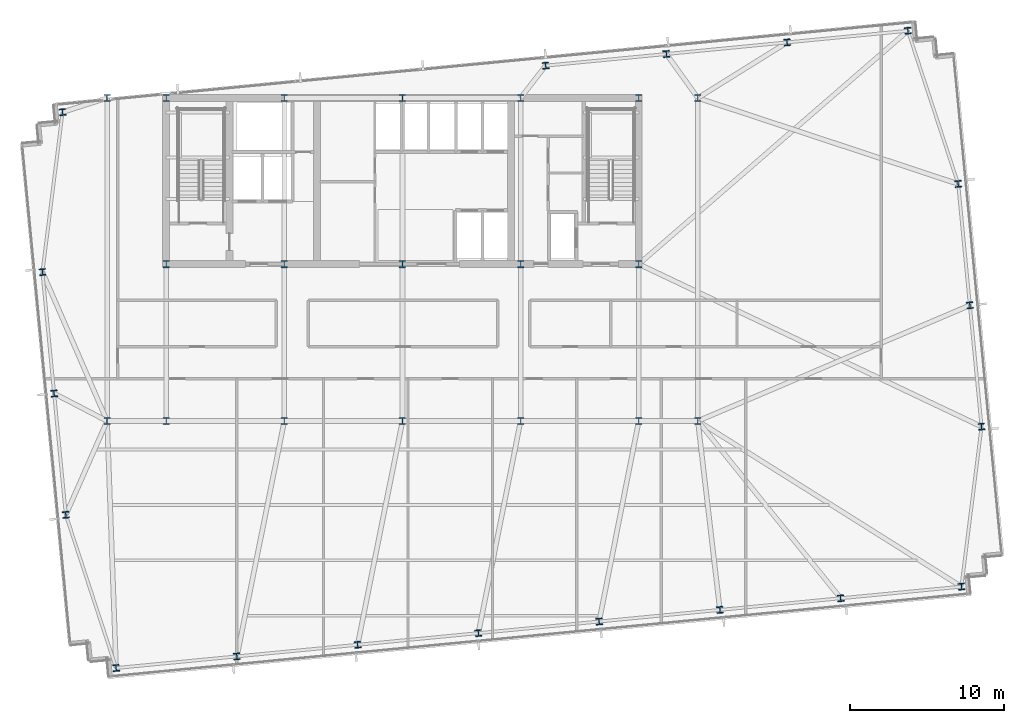
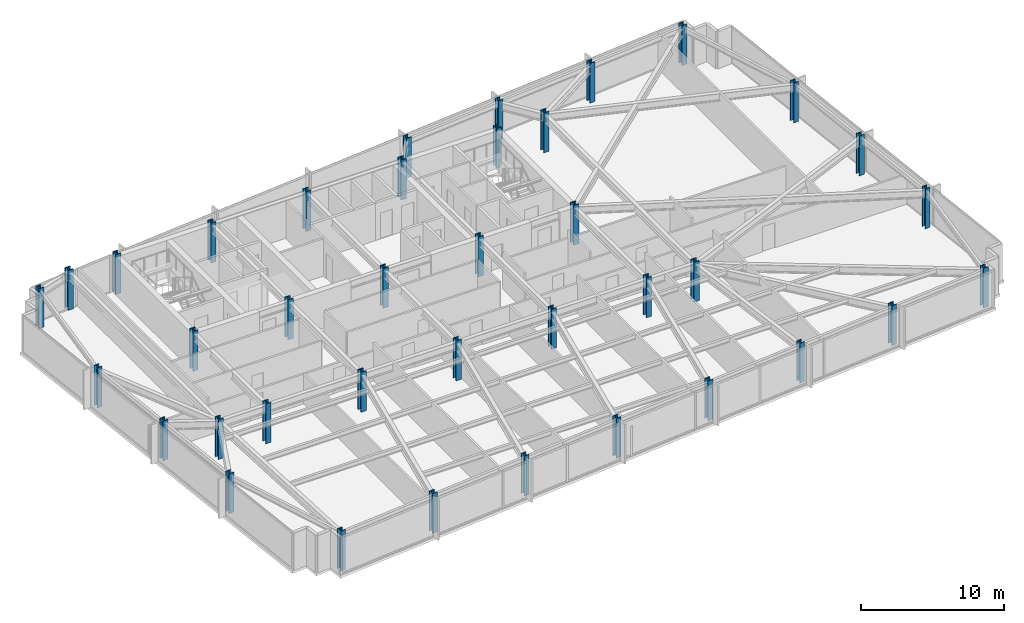
# One storey, part 1 of 32: 38 columns.
"""IFC4 building model written with IfcOpenShell, lengths in metres."""

from ifc_helpers import new_model, si_unit, direction, frame, origin, origin_2d, place, context, subcontext, project, spatial, i_section, extrude, material, material_profile, profile_set, type_object, element, save


model = new_model("IFC4")

# Units and contexts
model_context = context("Model", 3, precision=1e-05, world=origin(), true_north=direction((0.0, 1.0)))
body_context = subcontext(model_context, "Body", "Model", "MODEL_VIEW")
ifc_project = project(units=[si_unit("LENGTHUNIT", "METRE"), si_unit("AREAUNIT", "SQUARE_METRE"), si_unit("VOLUMEUNIT", "CUBIC_METRE"), si_unit("PLANEANGLEUNIT", "RADIAN"), si_unit("MASSUNIT", "GRAM", prefix="KILO")], contexts=[model_context])

# Site, building, storey
site_placement = place(None, origin())
site = spatial("IfcSite", under=ifc_project, at=site_placement, CompositionType="ELEMENT")
building_placement = place(site_placement, origin())
building = spatial("IfcBuilding", under=site, at=building_placement, Name="Yelkora Congress Tower", CompositionType="ELEMENT")
storey_placement = place(building_placement, frame((0.0, 0.0, 130.5)))
storey = spatial("IfcBuildingStorey", under=building, at=storey_placement, Name="L35", CompositionType="ELEMENT", Elevation=130.5)

# Columns
ifc_material = material(Name="Steel S460M", Category="steel")
ifc_material_profile_1 = material_profile(ifc_material, i_section(OverallWidth=0.412109375, OverallDepth=0.43505859375, WebThickness=0.035888671875, FlangeThickness=0.05810546875, FilletRadius=0.014892578125, at=origin_2d()), Name="HD 400x463")
ifc_profile_set_1 = profile_set([ifc_material_profile_1], Name="Steel S460M")
column_type_1 = type_object("IfcColumnType", Name="COL-HD-463-EXT", PredefinedType="COLUMN", material=ifc_profile_set_1)
for number, where, z_axis, x_axis, name in (
    (1, (19.785888671875, 9.144287109375, 0.0), (0.0, 0.0, 1.0), (0.995396198367, 0.09584575252, 0.0), "L35 Perimeter Column S01"),
    (2, (27.635498046875, 9.900146484375, 0.0), (0.0, 0.0, 1.0), (0.995396198367, 0.09584575252, 0.0), "L35 Perimeter Column S02"),
    (3, (35.48486328125, 10.656005859375, 0.0), (0.0, 0.0, 1.0), (0.995396198367, 0.09584575252, 0.0), "L35 Perimeter Column S03"),
    (4, (43.334228515625, 11.411865234375, 0.0), (0.0, 0.0, 1.0), (0.995396198367, 0.09584575252, 0.0), "L35 Perimeter Column S04"),
    (5, (51.18359375, 12.16748046875, 0.0), (0.0, 0.0, 1.0), (0.995396198367, 0.09584575252, 0.0), "L35 Perimeter Column S05"),
    (6, (59.033203125, 12.92333984375, 0.0), (0.0, 0.0, 1.0), (0.995396198367, 0.09584575252, 0.0), "L35 Perimeter Column S06"),
    (7, (66.882568359375, 13.67919921875, 0.0), (0.0, 0.0, 1.0), (0.995396198367, 0.09584575252, 0.0), "L35 Perimeter Column S07"),
    (8, (74.73193359375, 14.43505859375, 0.0), (0.0, 0.0, 1.0), (0.995396198367, 0.09584575252, 0.0), "L35 Perimeter Column S08"),
    (9, (16.306884765625, 45.27734375, 0.0), (0.0, 0.0, 1.0), (0.995396198367, 0.09584575252, 0.0), "L35 Perimeter Column N01"),
    (10, (47.70458984375, 48.300537109375, 0.0), (0.0, 0.0, 1.0), (0.995396198367, 0.09584575252, 0.0), "L35 Perimeter Column N05"),
    (11, (55.553955078125, 49.056396484375, 0.0), (0.0, 0.0, 1.0), (0.995396198367, 0.09584575252, 0.0), "L35 Perimeter Column N06"),
    (12, (63.4033203125, 49.81201171875, 0.0), (0.0, 0.0, 1.0), (0.995396198367, 0.09584575252, 0.0), "L35 Perimeter Column N07"),
    (13, (71.252685546875, 50.568115234375, 0.0), (0.0, 0.0, 1.0), (0.995396198367, 0.09584575252, 0.0), "L35 Perimeter Column N08"),
    (14, (16.5166015625, 19.101806640625, 0.0), (0.0, 0.0, 1.0), (0.995396198367, 0.09584575252, 0.0), "L35 Perimeter Column W01"),
    (15, (76.041259765625, 24.83349609375, 0.0), (0.0, 0.0, 1.0), (0.995396198367, 0.09584575252, 0.0), "L35 Perimeter Column E01"),
    (16, (15.757080078125, 26.990478515625, 0.0), (0.0, 0.0, 1.0), (0.995396198367, 0.09584575252, 0.0), "L35 Perimeter Column W02"),
    (17, (75.28173828125, 32.721923828125, 0.0), (0.0, 0.0, 1.0), (0.995396198367, 0.09584575252, 0.0), "L35 Perimeter Column E02"),
    (18, (14.997314453125, 34.87890625, 0.0), (0.0, 0.0, 1.0), (0.995396198367, 0.09584575252, 0.0), "L35 Perimeter Column W03"),
    (19, (74.522216796875, 40.610595703125, 0.0), (0.0, 0.0, 1.0), (0.995396198367, 0.09584575252, 0.0), "L35 Perimeter Column E03"),
):
    element("IfcColumn", number, at=place(storey_placement, frame(where, z_axis=z_axis, x_axis=x_axis)), inside=storey, type_object=column_type_1, Name=name, PredefinedType="COLUMN", context=body_context, shape_type="SweptSolid", body=[
        extrude(i_section(OverallWidth=0.412109375, OverallDepth=0.43505859375, WebThickness=0.035888671875, FlangeThickness=0.05810546875, FilletRadius=0.014892578125, at=origin_2d()), origin(), (0.0, 0.0, 1.0), 3.39990234375),
    ])
ifc_material_profile_2 = material_profile(ifc_material, i_section(OverallWidth=0.424072265625, OverallDepth=0.47412109375, WebThickness=0.047119140625, FlangeThickness=0.076904296875, FilletRadius=0.014892578125, at=origin_2d()), Name="HD 400x634")
ifc_profile_set_2 = profile_set([ifc_material_profile_2], Name="Steel S460M")
column_type_2 = type_object("IfcColumnType", Name="COL-HD-634", PredefinedType="COLUMN", material=ifc_profile_set_2)
for number, where, z_axis, x_axis, name in (
    (20, (23.0400390625, 35.39990234375, 0.0), (0.0, 0.0, 1.0), (1.0, 0.0, 0.0), "L35 Mega Column MC-S1"),
    (21, (23.0400390625, 46.199951171875, 0.0), (0.0, 0.0, 1.0), (1.0, 0.0, 0.0), "L35 Mega Column MC-N1"),
    (22, (23.0400390625, 25.199951171875, 0.0), (0.0, 0.0, 1.0), (1.0, 0.0, 0.0), "L35 Mega Column MC-D1"),
    (23, (30.719970703125, 35.39990234375, 0.0), (0.0, 0.0, 1.0), (1.0, 0.0, 0.0), "L35 Mega Column MC-S2"),
    (24, (30.719970703125, 46.199951171875, 0.0), (0.0, 0.0, 1.0), (1.0, 0.0, 0.0), "L35 Mega Column MC-N2"),
    (25, (30.719970703125, 25.199951171875, 0.0), (0.0, 0.0, 1.0), (1.0, 0.0, 0.0), "L35 Mega Column MC-D2"),
    (26, (38.39990234375, 35.39990234375, 0.0), (0.0, 0.0, 1.0), (1.0, 0.0, 0.0), "L35 Mega Column MC-S3"),
    (27, (38.39990234375, 46.199951171875, 0.0), (0.0, 0.0, 1.0), (1.0, 0.0, 0.0), "L35 Mega Column MC-N3"),
    (28, (38.39990234375, 25.199951171875, 0.0), (0.0, 0.0, 1.0), (1.0, 0.0, 0.0), "L35 Mega Column MC-D3"),
    (29, (46.080078125, 35.39990234375, 0.0), (0.0, 0.0, 1.0), (1.0, 0.0, 0.0), "L35 Mega Column MC-S4"),
    (30, (46.080078125, 46.199951171875, 0.0), (0.0, 0.0, 1.0), (1.0, 0.0, 0.0), "L35 Mega Column MC-N4"),
    (31, (46.080078125, 25.199951171875, 0.0), (0.0, 0.0, 1.0), (1.0, 0.0, 0.0), "L35 Mega Column MC-D4"),
    (32, (53.760009765625, 35.39990234375, 0.0), (0.0, 0.0, 1.0), (1.0, 0.0, 0.0), "L35 Mega Column MC-S5"),
    (33, (53.760009765625, 46.199951171875, 0.0), (0.0, 0.0, 1.0), (1.0, 0.0, 0.0), "L35 Mega Column MC-N5"),
    (34, (53.760009765625, 25.199951171875, 0.0), (0.0, 0.0, 1.0), (1.0, 0.0, 0.0), "L35 Mega Column MC-D5"),
    (35, (19.199951171875, 25.199951171875, 0.0), (0.0, 0.0, 1.0), (1.0, 0.0, 0.0), "L35 Mega Column MC-F1"),
    (36, (57.60009765625, 25.199951171875, 0.0), (0.0, 0.0, 1.0), (1.0, 0.0, 0.0), "L35 Mega Column MC-F2"),
    (37, (19.199951171875, 46.199951171875, 0.0), (0.0, 0.0, 1.0), (1.0, 0.0, 0.0), "L35 Mega Column MC-F3"),
    (38, (57.60009765625, 46.199951171875, 0.0), (0.0, 0.0, 1.0), (1.0, 0.0, 0.0), "L35 Mega Column MC-F4"),
):
    element("IfcColumn", number, at=place(storey_placement, frame(where, z_axis=z_axis, x_axis=x_axis)), inside=storey, type_object=column_type_2, Name=name, PredefinedType="COLUMN", context=body_context, shape_type="SweptSolid", body=[
        extrude(i_section(OverallWidth=0.424072265625, OverallDepth=0.47412109375, WebThickness=0.047119140625, FlangeThickness=0.076904296875, FilletRadius=0.014892578125, at=origin_2d()), origin(), (0.0, 0.0, 1.0), 3.39990234375),
    ])

save(model, "model.ifc")
